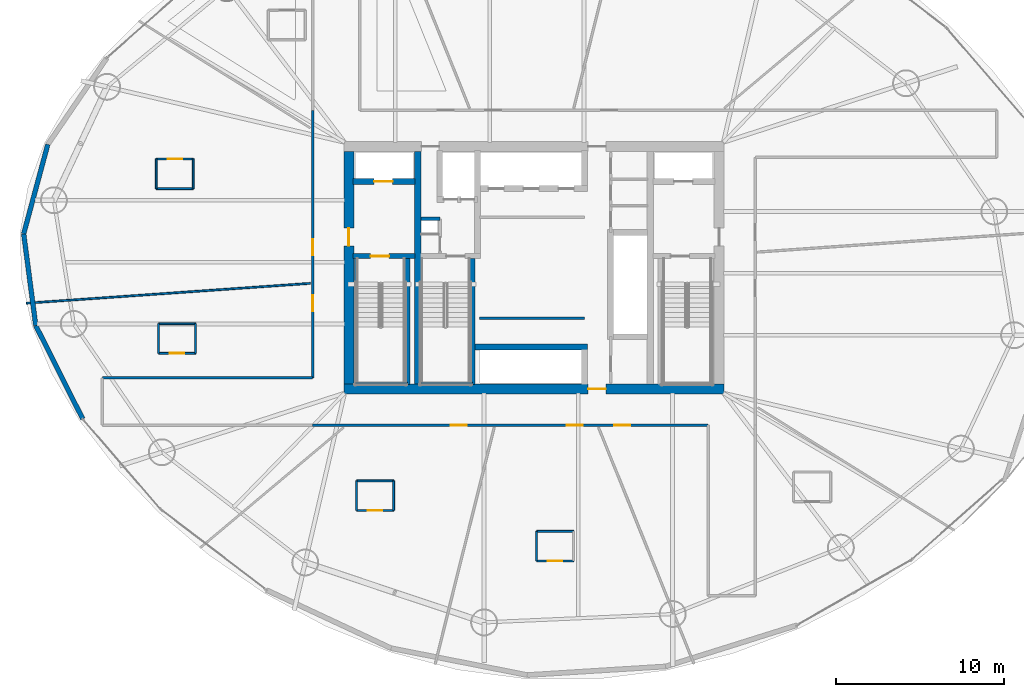
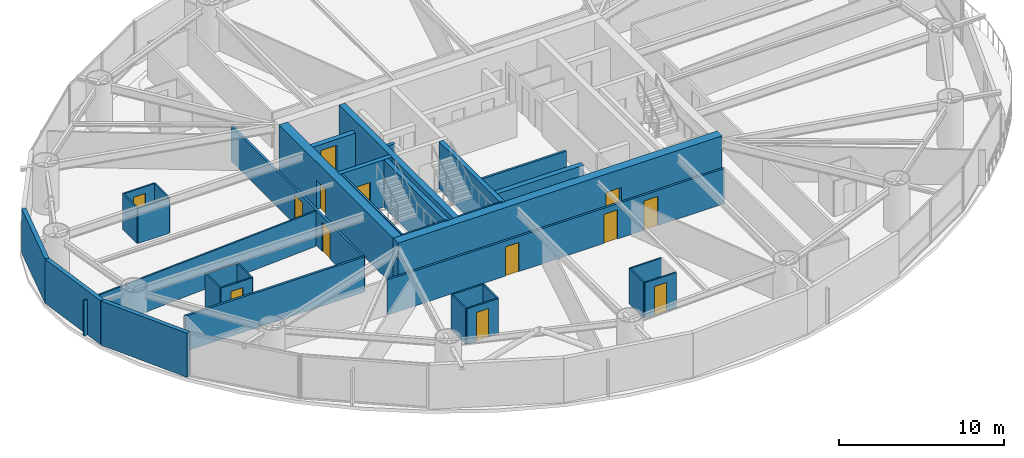
# One storey, part 19 of 26: 35 walls, 13 doors, 13 openings.
"""IFC4 building model written with IfcOpenShell, lengths in metres."""

from ifc_helpers import new_model, si_unit, direction, frame, frame_2d, origin, place, context, subcontext, project, spatial, rectangle, extrude, material, layer, layer_set, type_object, element, fill, save


model = new_model("IFC4")

# Units and contexts
model_context = context("Model", 3, precision=1e-05, world=origin(), true_north=direction((0.0, 1.0)))
body_context = subcontext(model_context, "Body", "Model", "MODEL_VIEW")
ifc_project = project(units=[si_unit("LENGTHUNIT", "METRE"), si_unit("AREAUNIT", "SQUARE_METRE"), si_unit("VOLUMEUNIT", "CUBIC_METRE"), si_unit("PLANEANGLEUNIT", "RADIAN"), si_unit("MASSUNIT", "GRAM", prefix="KILO")], contexts=[model_context])

# Site, building, storey
site_placement = place(None, origin())
site = spatial("IfcSite", under=ifc_project, at=site_placement, CompositionType="ELEMENT")
building_placement = place(site_placement, origin())
building = spatial("IfcBuilding", under=site, at=building_placement, Name="Bramvorn Convention Spire", CompositionType="ELEMENT")
storey_placement = place(building_placement, frame((0.0, 0.0, 51.89990234375)))
storey = spatial("IfcBuildingStorey", under=building, at=storey_placement, Name="L10", CompositionType="ELEMENT", Elevation=51.89990234375)

# Wall, opening, door
ifc_material_1 = material(Name="Concrete C60/70", Category="concrete")
ifc_layer_1 = layer(ifc_material_1, 0.60009765625)
ifc_layer_set_1 = layer_set([ifc_layer_1], Name="Concrete C60/70 - WL-CORE-600")
wall_type_1 = type_object("IfcWallType", Name="WL-CORE-600", PredefinedType="SHEAR", material=ifc_layer_set_1)
wall_1_placement = place(storey_placement, frame((26.699951171875, 18.800048828125, 0.0), z_axis=(0.0, 0.0, 1.0), x_axis=(1.0, 0.0, 0.0)))
wall_1 = element("IfcWall", 1, at=wall_1_placement, inside=storey, type_object=wall_type_1, Name="L10 South RC core shear wall", PredefinedType="SHEAR", context=body_context, shape_type="SweptSolid", body=[
    extrude(rectangle(XDim=22.60009765625, YDim=0.60009765625, at=frame_2d((11.300048828125, 0.0))), origin(), (0.0, 0.0, 1.0), 3.5),
])
opening_1_placement = place(wall_1_placement, frame((14.52001953125, 0.0, 0.0)))
opening_1 = element("IfcOpeningElement", 2, at=opening_1_placement, cuts=wall_1, Name="Opening DL-105", PredefinedType="OPENING", context=body_context, shape_type="SweptSolid", body=[
    extrude(rectangle(XDim=1.050048828125, YDim=2.14990234375, at=frame_2d((0.52490234375, 1.074951171875))), frame((0.0, 0.31005859375, 0.0), z_axis=(0.0, -1.0, 0.0), x_axis=(1.0, 0.0, 0.0)), (0.0, 0.0, 1.0), 0.6201171875),
])
ifc_material_2 = material(Name="Smoke-Sealed Fire Lobby Timber-Core Door", Category="wood")
door_type_1 = type_object("IfcDoorType", Name="DR-LOBBY-1050", OperationType="NOTDEFINED", PredefinedType="DOOR", material=ifc_material_2)
door_1_placement = place(opening_1_placement, origin())
door_1 = element("IfcDoor", 3, at=door_1_placement, inside=storey, type_object=door_type_1, Name="L10 South Lift Lobby fire door", OperationType="SINGLE_SWING_RIGHT", OverallHeight=2.14990234375, OverallWidth=1.050048828125, PredefinedType="DOOR", context=body_context, shape_type="SweptSolid", body=[
    extrude(rectangle(XDim=1.050048828125, YDim=2.14990234375, at=frame_2d((0.52490234375, 1.074951171875))), frame((0.0, 0.02490234375, 0.0), z_axis=(0.0, -1.0, 0.0), x_axis=(1.0, 0.0, 0.0)), (0.0, 0.0, 1.0), 0.050048828125),
])
fill(opening_1, door_1)

wall_2_placement = place(storey_placement, frame((27.0, 19.10009765625, 0.0), z_axis=(0.0, 0.0, 1.0), x_axis=(0.0, 1.0, 0.0)))
wall_2 = element("IfcWall", 4, at=wall_2_placement, inside=storey, type_object=wall_type_1, Name="L10 West RC core shear wall", PredefinedType="SHEAR", context=body_context, shape_type="SweptSolid", body=[
    extrude(rectangle(XDim=13.7998046875, YDim=0.60009765625, at=frame_2d((6.89990234375, 0.0))), origin(), (0.0, 0.0, 1.0), 3.5),
])
opening_2_placement = place(wall_2_placement, frame((8.199951171875, 0.0, 0.0)))
opening_2 = element("IfcOpeningElement", 5, at=opening_2_placement, cuts=wall_2, Name="Opening DL-105", PredefinedType="OPENING", context=body_context, shape_type="SweptSolid", body=[
    extrude(rectangle(XDim=1.050048828125, YDim=2.14990234375, at=frame_2d((0.52490234375, 1.074951171875))), frame((0.0, 0.31005859375, 0.0), z_axis=(0.0, -1.0, 0.0), x_axis=(1.0, 0.0, 0.0)), (0.0, 0.0, 1.0), 0.6201171875),
])
door_2_placement = place(opening_2_placement, origin())
door_2 = element("IfcDoor", 6, at=door_2_placement, inside=storey, type_object=door_type_1, Name="L10 West Firefighting Lobby corridor door", OperationType="SINGLE_SWING_RIGHT", OverallHeight=2.14990234375, OverallWidth=1.050048828125, PredefinedType="DOOR", context=body_context, shape_type="SweptSolid", body=[
    extrude(rectangle(XDim=1.050048828125, YDim=2.14990234375, at=frame_2d((0.52490234375, 1.074951171875))), frame((0.0, 0.02490234375, 0.0), z_axis=(0.0, -1.0, 0.0), x_axis=(1.0, 0.0, 0.0)), (0.0, 0.0, 1.0), 0.050048828125),
])
fill(opening_2, door_2)

ifc_material_3 = material(Name="Concrete C50/60", Category="concrete")
ifc_layer_2 = layer(ifc_material_3, 0.35009765625)
ifc_layer_set_2 = layer_set([ifc_layer_2], Name="Concrete C50/60 - WL-CORE-INT-350")
wall_type_2 = type_object("IfcWallType", Name="WL-CORE-INT-350", PredefinedType="SHEAR", material=ifc_layer_set_2)
wall_3_placement = place(storey_placement, frame((27.25, 31.1201171875, 0.0), z_axis=(0.0, 0.0, 1.0), x_axis=(1.0, 0.0, 0.0)))
wall_3 = element("IfcWall", 7, at=wall_3_placement, inside=storey, type_object=wall_type_2, Name="L10 FE1 shaft front wall", PredefinedType="SHEAR", context=body_context, shape_type="SweptSolid", body=[
    extrude(rectangle(XDim=3.669921875, YDim=0.35009765625, at=frame_2d((1.8349609375, 0.0))), origin(), (0.0, 0.0, 1.0), 2.60009765625),
])
opening_3_placement = place(wall_3_placement, frame((1.25, 0.0, 0.0)))
opening_3 = element("IfcOpeningElement", 8, at=opening_3_placement, cuts=wall_3, Name="Opening LD-110", PredefinedType="OPENING", context=body_context, shape_type="SweptSolid", body=[
    extrude(rectangle(XDim=1.10009765625, YDim=2.14990234375, at=frame_2d((0.550048828125, 1.074951171875))), frame((0.0, 0.18505859375, 0.0), z_axis=(0.0, -1.0, 0.0), x_axis=(1.0, 0.0, 0.0)), (0.0, 0.0, 1.0), 0.3701171875),
])
ifc_material_4 = material(Name="Firefighting & Service Lift Sliding Landing Door", Category="steel")
door_type_2 = type_object("IfcDoorType", Name="DR-LIFT-LD-1100", OperationType="NOTDEFINED", PredefinedType="DOOR", material=ifc_material_4)
door_3_placement = place(opening_3_placement, origin())
door_3 = element("IfcDoor", 9, at=door_3_placement, inside=storey, type_object=door_type_2, Name="L10 Lift FE1 Sliding Landing Door", OperationType="SLIDING_TO_LEFT", OverallHeight=2.14990234375, OverallWidth=1.10009765625, PredefinedType="DOOR", context=body_context, shape_type="SweptSolid", body=[
    extrude(rectangle(XDim=1.10009765625, YDim=2.14990234375, at=frame_2d((0.550048828125, 1.074951171875))), frame((0.0, 0.02490234375, 0.0), z_axis=(0.0, -1.0, 0.0), x_axis=(1.0, 0.0, 0.0)), (0.0, 0.0, 1.0), 0.050048828125),
])
fill(opening_3, door_3)

# Walls
wall_4_placement = place(storey_placement, frame((34.489990234375, 21.300048828125, 0.0), z_axis=(0.0, 0.0, 1.0), x_axis=(1.0, 0.0, 0.0)))
element("IfcWall", 10, at=wall_4_placement, inside=storey, type_object=wall_type_2, Name="L10 Mid-rise bank north landing wall", PredefinedType="SHEAR", context=body_context, shape_type="SweptSolid", body=[
    extrude(rectangle(XDim=6.679931640625, YDim=0.35009765625, at=frame_2d((3.33984375, 0.0))), origin(), (0.0, 0.0, 1.0), 2.60009765625),
])
ifc_layer_3 = layer(ifc_material_1, 0.39990234375)
ifc_layer_set_3 = layer_set([ifc_layer_3], Name="Concrete C60/70 - WL-CORE-INT-400")
wall_type_3 = type_object("IfcWallType", Name="WL-CORE-INT-400", PredefinedType="SHEAR", material=ifc_layer_set_3)
wall_5_placement = place(storey_placement, frame((31.10009765625, 19.10009765625, 0.0), z_axis=(0.0, 0.0, 1.0), x_axis=(0.0, 1.0, 0.0)))
element("IfcWall", 11, at=wall_5_placement, inside=storey, type_object=wall_type_3, Name="L10 West internal core shear web", PredefinedType="SHEAR", context=body_context, shape_type="SweptSolid", body=[
    extrude(rectangle(XDim=13.7998046875, YDim=0.39990234375, at=frame_2d((6.89990234375, 0.0))), origin(), (0.0, 0.0, 1.0), 3.5),
])
ifc_material_5 = material(Name="Precast Concrete C40/50 with Bronze Terracotta Rainscreen", Category="masonry")
ifc_layer_4 = layer(ifc_material_5, 0.300048828125)
ifc_layer_set_4 = layer_set([ifc_layer_4], Name="Precast Concrete C40/50 with Bronze Terracotta Rainscreen - WL-EXT-BRONZE-300")
wall_type_4 = type_object("IfcWallType", Name="WL-EXT-BRONZE-300", PredefinedType="SOLIDWALL", material=ifc_layer_set_4)
for number, where, z_axis, x_axis, name in (
    (12, (7.686767578125, 28.013427734375, 0.0), (0.0, 0.0, 1.0), (0.260331798826, 0.965519214993, 0.0), "L10 expressed bronze Gothic lancet pier wall 12"),
    (13, (8.4033203125, 22.56298828125, 0.0), (0.0, 0.0, 1.0), (-0.130345374551, 0.991468649698, 0.0), "L10 expressed bronze Gothic lancet pier wall 13"),
):
    element("IfcWall", number, at=place(storey_placement, frame(where, z_axis=z_axis, x_axis=x_axis)), inside=storey, type_object=wall_type_4, Name=name, PredefinedType="SOLIDWALL", context=body_context, shape_type="SweptSolid", body=[
        extrude(rectangle(XDim=5.497314453125, YDim=0.280029296875, at=frame_2d((2.74853515625, 0.0))), origin(), (0.0, 0.0, 1.0), 3.25),
    ])
wall_6_placement = place(storey_placement, frame((11.196533203125, 17.01416015625, 0.0), z_axis=(0.0, 0.0, 1.0), x_axis=(-0.449632845704, 0.893213470602, 0.0)))
element("IfcWall", 14, at=wall_6_placement, inside=storey, type_object=wall_type_4, Name="L10 expressed bronze Gothic lancet pier wall 14", PredefinedType="SOLIDWALL", context=body_context, shape_type="SweptSolid", body=[
    extrude(rectangle(XDim=6.212158203125, YDim=0.280029296875, at=frame_2d((3.10595703125, 0.0))), origin(), (0.0, 0.0, 1.0), 3.25),
])
ifc_material_6 = material(Name="Lightweight En-Suite & Wet-Wall Partition", Category="gypsum")
ifc_layer_5 = layer(ifc_material_6, 0.110107421875)
ifc_layer_set_5 = layer_set([ifc_layer_5], Name="Lightweight En-Suite & Wet-Wall Partition - WL-PART-110")
wall_type_5 = type_object("IfcWallType", Name="WL-PART-110", PredefinedType="PARTITIONING", material=ifc_layer_set_5)
wall_7_placement = place(storey_placement, frame((24.7099609375, 25.07080078125, 0.0), z_axis=(0.0, 0.0, 1.0), x_axis=(-0.997564034938, -0.069756692853, 0.0)))
element("IfcWall", 15, at=wall_7_placement, inside=storey, type_object=wall_type_5, Name="L10 Guestroom demising wall 6", PredefinedType="PARTITIONING", context=body_context, shape_type="SweptSolid", body=[
    extrude(rectangle(XDim=16.904541015625, YDim=0.110107421875, at=frame_2d((8.4521484375, 0.0))), origin(), (0.0, 0.0, 1.0), 2.60009765625),
])
wall_8_placement = place(storey_placement, frame((15.560791015625, 30.700439453125, 0.0), z_axis=(0.0, 0.0, 1.0), x_axis=(1.0, 0.0, 0.0)))
element("IfcWall", 16, at=wall_8_placement, inside=storey, type_object=wall_type_5, Name="Hotel Suite 1005 en-suite south wall", PredefinedType="PARTITIONING", context=body_context, shape_type="SweptSolid", body=[
    extrude(rectangle(XDim=2.2001953125, YDim=0.110107421875, at=frame_2d((1.10009765625, 0.0))), origin(), (0.0, 0.0, 1.0), 2.60009765625),
])

# Wall, opening, door
wall_9_placement = place(storey_placement, frame((15.560791015625, 32.46044921875, 0.0), z_axis=(0.0, 0.0, 1.0), x_axis=(1.0, 0.0, 0.0)))
wall_9 = element("IfcWall", 17, at=wall_9_placement, inside=storey, type_object=wall_type_5, Name="Hotel Suite 1005 en-suite north wall", PredefinedType="PARTITIONING", context=body_context, shape_type="SweptSolid", body=[
    extrude(rectangle(XDim=2.2001953125, YDim=0.110107421875, at=frame_2d((1.10009765625, 0.0))), origin(), (0.0, 0.0, 1.0), 2.60009765625),
])
opening_4_placement = place(wall_9_placement, frame((0.679931640625, 0.0, 0.0)))
opening_4 = element("IfcOpeningElement", 18, at=opening_4_placement, cuts=wall_9, Name="Opening DI-085", PredefinedType="OPENING", context=body_context, shape_type="SweptSolid", body=[
    extrude(rectangle(XDim=0.85009765625, YDim=2.10009765625, at=frame_2d((0.425048828125, 1.050048828125))), frame((0.0, 0.06494140625, 0.0), z_axis=(0.0, -1.0, 0.0), x_axis=(1.0, 0.0, 0.0)), (0.0, 0.0, 1.0), 0.130126953125),
])
ifc_material_7 = material(Name="En-Suite & Restroom Privacy Door", Category="wood")
door_type_3 = type_object("IfcDoorType", Name="DR-INT-850", OperationType="NOTDEFINED", PredefinedType="DOOR", material=ifc_material_7)
door_4_placement = place(opening_4_placement, origin())
door_4 = element("IfcDoor", 19, at=door_4_placement, inside=storey, type_object=door_type_3, Name="Hotel Suite 1005 En-Suite Bathroom door", OperationType="SINGLE_SWING_LEFT", OverallHeight=2.10009765625, OverallWidth=0.85009765625, PredefinedType="DOOR", context=body_context, shape_type="SweptSolid", body=[
    extrude(rectangle(XDim=0.85009765625, YDim=2.10009765625, at=frame_2d((0.425048828125, 1.050048828125))), frame((0.0, 0.02490234375, 0.0), z_axis=(0.0, -1.0, 0.0), x_axis=(1.0, 0.0, 0.0)), (0.0, 0.0, 1.0), 0.050048828125),
])
fill(opening_4, door_4)

# Walls
for number, where, z_axis, x_axis, name in (
    (20, (15.560791015625, 30.700439453125, 0.0), (0.0, 0.0, 1.0), (0.0, 1.0, 0.0), "Hotel Suite 1005 en-suite west wall"),
    (21, (17.760986328125, 30.700439453125, 0.0), (0.0, 0.0, 1.0), (0.0, 1.0, 0.0), "Hotel Suite 1005 en-suite east wall"),
):
    element("IfcWall", number, at=place(storey_placement, frame(where, z_axis=z_axis, x_axis=x_axis)), inside=storey, type_object=wall_type_5, Name=name, PredefinedType="PARTITIONING", context=body_context, shape_type="SweptSolid", body=[
        extrude(rectangle(XDim=1.760009765625, YDim=0.110107421875, at=frame_2d((0.8798828125, 0.0))), origin(), (0.0, 0.0, 1.0), 2.60009765625),
    ])

# Wall, opening, door
wall_10_placement = place(storey_placement, frame((15.696533203125, 20.912109375, 0.0), z_axis=(0.0, 0.0, 1.0), x_axis=(1.0, 0.0, 0.0)))
wall_10 = element("IfcWall", 22, at=wall_10_placement, inside=storey, type_object=wall_type_5, Name="Hotel Suite 1006 en-suite south wall", PredefinedType="PARTITIONING", context=body_context, shape_type="SweptSolid", body=[
    extrude(rectangle(XDim=2.199951171875, YDim=0.110107421875, at=frame_2d((1.10009765625, 0.0))), origin(), (0.0, 0.0, 1.0), 2.60009765625),
])
opening_5_placement = place(wall_10_placement, frame((0.679931640625, 0.0, 0.0)))
opening_5 = element("IfcOpeningElement", 23, at=opening_5_placement, cuts=wall_10, Name="Opening DI-085", PredefinedType="OPENING", context=body_context, shape_type="SweptSolid", body=[
    extrude(rectangle(XDim=0.85009765625, YDim=2.10009765625, at=frame_2d((0.425048828125, 1.050048828125))), frame((0.0, 0.06494140625, 0.0), z_axis=(0.0, -1.0, 0.0), x_axis=(1.0, 0.0, 0.0)), (0.0, 0.0, 1.0), 0.130126953125),
])
door_5_placement = place(opening_5_placement, origin())
door_5 = element("IfcDoor", 24, at=door_5_placement, inside=storey, type_object=door_type_3, Name="Hotel Suite 1006 En-Suite Bathroom door", OperationType="SINGLE_SWING_LEFT", OverallHeight=2.10009765625, OverallWidth=0.85009765625, PredefinedType="DOOR", context=body_context, shape_type="SweptSolid", body=[
    extrude(rectangle(XDim=0.85009765625, YDim=2.10009765625, at=frame_2d((0.425048828125, 1.050048828125))), frame((0.0, 0.02490234375, 0.0), z_axis=(0.0, -1.0, 0.0), x_axis=(1.0, 0.0, 0.0)), (0.0, 0.0, 1.0), 0.050048828125),
])
fill(opening_5, door_5)

# Walls
wall_11_placement = place(storey_placement, frame((15.696533203125, 22.672119140625, 0.0), z_axis=(0.0, 0.0, 1.0), x_axis=(1.0, 0.0, 0.0)))
element("IfcWall", 25, at=wall_11_placement, inside=storey, type_object=wall_type_5, Name="Hotel Suite 1006 en-suite north wall", PredefinedType="PARTITIONING", context=body_context, shape_type="SweptSolid", body=[
    extrude(rectangle(XDim=2.199951171875, YDim=0.110107421875, at=frame_2d((1.10009765625, 0.0))), origin(), (0.0, 0.0, 1.0), 2.60009765625),
])
for number, where, z_axis, x_axis, name in (
    (26, (15.696533203125, 20.912109375, 0.0), (0.0, 0.0, 1.0), (0.0, 1.0, 0.0), "Hotel Suite 1006 en-suite west wall"),
    (27, (17.896484375, 20.912109375, 0.0), (0.0, 0.0, 1.0), (0.0, 1.0, 0.0), "Hotel Suite 1006 en-suite east wall"),
):
    element("IfcWall", number, at=place(storey_placement, frame(where, z_axis=z_axis, x_axis=x_axis)), inside=storey, type_object=wall_type_5, Name=name, PredefinedType="PARTITIONING", context=body_context, shape_type="SweptSolid", body=[
        extrude(rectangle(XDim=1.760009765625, YDim=0.110107421875, at=frame_2d((0.8798828125, 0.0))), origin(), (0.0, 0.0, 1.0), 2.60009765625),
    ])

# Wall, opening, door
wall_12_placement = place(storey_placement, frame((27.458984375, 11.579833984375, 0.0), z_axis=(0.0, 0.0, 1.0), x_axis=(1.0, 0.0, 0.0)))
wall_12 = element("IfcWall", 28, at=wall_12_placement, inside=storey, type_object=wall_type_5, Name="Hotel Suite 1007 en-suite south wall", PredefinedType="PARTITIONING", context=body_context, shape_type="SweptSolid", body=[
    extrude(rectangle(XDim=2.199951171875, YDim=0.110107421875, at=frame_2d((1.10009765625, 0.0))), origin(), (0.0, 0.0, 1.0), 2.60009765625),
])
opening_6_placement = place(wall_12_placement, frame((0.679931640625, 0.0, 0.0)))
opening_6 = element("IfcOpeningElement", 29, at=opening_6_placement, cuts=wall_12, Name="Opening DI-085", PredefinedType="OPENING", context=body_context, shape_type="SweptSolid", body=[
    extrude(rectangle(XDim=0.85009765625, YDim=2.10009765625, at=frame_2d((0.425048828125, 1.050048828125))), frame((0.0, 0.06494140625, 0.0), z_axis=(0.0, -1.0, 0.0), x_axis=(1.0, 0.0, 0.0)), (0.0, 0.0, 1.0), 0.130126953125),
])
door_6_placement = place(opening_6_placement, origin())
door_6 = element("IfcDoor", 30, at=door_6_placement, inside=storey, type_object=door_type_3, Name="Hotel Suite 1007 En-Suite Bathroom door", OperationType="SINGLE_SWING_LEFT", OverallHeight=2.10009765625, OverallWidth=0.85009765625, PredefinedType="DOOR", context=body_context, shape_type="SweptSolid", body=[
    extrude(rectangle(XDim=0.85009765625, YDim=2.10009765625, at=frame_2d((0.425048828125, 1.050048828125))), frame((0.0, 0.02490234375, 0.0), z_axis=(0.0, -1.0, 0.0), x_axis=(1.0, 0.0, 0.0)), (0.0, 0.0, 1.0), 0.050048828125),
])
fill(opening_6, door_6)

# Walls
wall_13_placement = place(storey_placement, frame((27.458984375, 13.33984375, 0.0), z_axis=(0.0, 0.0, 1.0), x_axis=(1.0, 0.0, 0.0)))
element("IfcWall", 31, at=wall_13_placement, inside=storey, type_object=wall_type_5, Name="Hotel Suite 1007 en-suite north wall", PredefinedType="PARTITIONING", context=body_context, shape_type="SweptSolid", body=[
    extrude(rectangle(XDim=2.199951171875, YDim=0.110107421875, at=frame_2d((1.10009765625, 0.0))), origin(), (0.0, 0.0, 1.0), 2.60009765625),
])
for number, where, z_axis, x_axis, name in (
    (32, (27.458984375, 11.579833984375, 0.0), (0.0, 0.0, 1.0), (0.0, 1.0, 0.0), "Hotel Suite 1007 en-suite west wall"),
    (33, (29.658935546875, 11.579833984375, 0.0), (0.0, 0.0, 1.0), (0.0, 1.0, 0.0), "Hotel Suite 1007 en-suite east wall"),
):
    element("IfcWall", number, at=place(storey_placement, frame(where, z_axis=z_axis, x_axis=x_axis)), inside=storey, type_object=wall_type_5, Name=name, PredefinedType="PARTITIONING", context=body_context, shape_type="SweptSolid", body=[
        extrude(rectangle(XDim=1.760009765625, YDim=0.110107421875, at=frame_2d((0.8798828125, 0.0))), origin(), (0.0, 0.0, 1.0), 2.60009765625),
    ])

# Wall, opening, door
wall_14_placement = place(storey_placement, frame((38.150634765625, 8.57958984375, 0.0), z_axis=(0.0, 0.0, 1.0), x_axis=(1.0, 0.0, 0.0)))
wall_14 = element("IfcWall", 34, at=wall_14_placement, inside=storey, type_object=wall_type_5, Name="Hotel Suite 1008 en-suite south wall", PredefinedType="PARTITIONING", context=body_context, shape_type="SweptSolid", body=[
    extrude(rectangle(XDim=2.199951171875, YDim=0.110107421875, at=frame_2d((1.10009765625, 0.0))), origin(), (0.0, 0.0, 1.0), 2.60009765625),
])
opening_7_placement = place(wall_14_placement, frame((0.679931640625, 0.0, 0.0)))
opening_7 = element("IfcOpeningElement", 35, at=opening_7_placement, cuts=wall_14, Name="Opening DI-085", PredefinedType="OPENING", context=body_context, shape_type="SweptSolid", body=[
    extrude(rectangle(XDim=0.85009765625, YDim=2.10009765625, at=frame_2d((0.425048828125, 1.050048828125))), frame((0.0, 0.06494140625, 0.0), z_axis=(0.0, -1.0, 0.0), x_axis=(1.0, 0.0, 0.0)), (0.0, 0.0, 1.0), 0.130126953125),
])
door_7_placement = place(opening_7_placement, origin())
door_7 = element("IfcDoor", 36, at=door_7_placement, inside=storey, type_object=door_type_3, Name="Hotel Suite 1008 En-Suite Bathroom door", OperationType="SINGLE_SWING_LEFT", OverallHeight=2.10009765625, OverallWidth=0.85009765625, PredefinedType="DOOR", context=body_context, shape_type="SweptSolid", body=[
    extrude(rectangle(XDim=0.85009765625, YDim=2.10009765625, at=frame_2d((0.425048828125, 1.050048828125))), frame((0.0, 0.02490234375, 0.0), z_axis=(0.0, -1.0, 0.0), x_axis=(1.0, 0.0, 0.0)), (0.0, 0.0, 1.0), 0.050048828125),
])
fill(opening_7, door_7)

# Walls
wall_15_placement = place(storey_placement, frame((38.150634765625, 10.339599609375, 0.0), z_axis=(0.0, 0.0, 1.0), x_axis=(1.0, 0.0, 0.0)))
element("IfcWall", 37, at=wall_15_placement, inside=storey, type_object=wall_type_5, Name="Hotel Suite 1008 en-suite north wall", PredefinedType="PARTITIONING", context=body_context, shape_type="SweptSolid", body=[
    extrude(rectangle(XDim=2.199951171875, YDim=0.110107421875, at=frame_2d((1.10009765625, 0.0))), origin(), (0.0, 0.0, 1.0), 2.60009765625),
])
wall_16_placement = place(storey_placement, frame((38.150634765625, 8.57958984375, 0.0), z_axis=(0.0, 0.0, 1.0), x_axis=(0.0, 1.0, 0.0)))
element("IfcWall", 38, at=wall_16_placement, inside=storey, type_object=wall_type_5, Name="Hotel Suite 1008 en-suite west wall", PredefinedType="PARTITIONING", context=body_context, shape_type="SweptSolid", body=[
    extrude(rectangle(XDim=1.760009765625, YDim=0.110107421875, at=frame_2d((0.8798828125, 0.0))), origin(), (0.0, 0.0, 1.0), 2.60009765625),
])
ifc_material_8 = material(Name="Acoustic Metal-Stud Tenant/Corridor Partition", Category="gypsum")
ifc_layer_6 = layer(ifc_material_8, 0.14990234375)
ifc_layer_set_6 = layer_set([ifc_layer_6], Name="Acoustic Metal-Stud Tenant/Corridor Partition - WL-PART-150")
wall_type_6 = type_object("IfcWallType", Name="WL-PART-150", PredefinedType="PARTITIONING", material=ifc_layer_set_6)
wall_17_placement = place(storey_placement, frame((34.75, 23.0, 0.0), z_axis=(0.0, 0.0, 1.0), x_axis=(1.0, 0.0, 0.0)))
element("IfcWall", 39, at=wall_17_placement, inside=storey, type_object=wall_type_6, Name="L10 Mid-rise lift vestibule north wall", PredefinedType="PARTITIONING", context=body_context, shape_type="SweptSolid", body=[
    extrude(rectangle(XDim=6.25, YDim=0.14990234375, at=frame_2d((3.125, 0.0))), origin(), (0.0, 0.0, 1.0), 2.60009765625),
])

# Wall, openings, doors
wall_18_placement = place(storey_placement, frame((24.85009765625, 16.64990234375, 0.0), z_axis=(0.0, 0.0, 1.0), x_axis=(1.0, 0.0, 0.0)))
wall_18 = element("IfcWall", 40, at=wall_18_placement, inside=storey, type_object=wall_type_6, Name="L10 South ring corridor wall", PredefinedType="PARTITIONING", context=body_context, shape_type="SweptSolid", body=[
    extrude(rectangle(XDim=23.5, YDim=0.14990234375, at=frame_2d((11.75, 0.0))), origin(), (0.0, 0.0, 1.0), 2.60009765625),
])
opening_8_placement = place(wall_18_placement, frame((8.21630859375, 0.0, 0.0)))
opening_8 = element("IfcOpeningElement", 41, at=opening_8_placement, cuts=wall_18, Name="Opening DH-095", PredefinedType="OPENING", context=body_context, shape_type="SweptSolid", body=[
    extrude(rectangle(XDim=0.949951171875, YDim=2.14990234375, at=frame_2d((0.47509765625, 1.074951171875))), frame((0.0, 0.0849609375, 0.0), z_axis=(0.0, -1.0, 0.0), x_axis=(1.0, 0.0, 0.0)), (0.0, 0.0, 1.0), 0.169921875),
])
opening_9_placement = place(wall_18_placement, frame((15.102783203125, 0.0, 0.0)))
opening_9 = element("IfcOpeningElement", 42, at=opening_9_placement, cuts=wall_18, Name="Opening DH-095", PredefinedType="OPENING", context=body_context, shape_type="SweptSolid", body=[
    extrude(rectangle(XDim=0.949951171875, YDim=2.14990234375, at=frame_2d((0.47509765625, 1.074951171875))), frame((0.0, 0.0849609375, 0.0), z_axis=(0.0, -1.0, 0.0), x_axis=(1.0, 0.0, 0.0)), (0.0, 0.0, 1.0), 0.169921875),
])
opening_10_placement = place(wall_18_placement, frame((17.909912109375, 0.0, 0.0)))
opening_10 = element("IfcOpeningElement", 43, at=opening_10_placement, cuts=wall_18, Name="Opening DH-095", PredefinedType="OPENING", context=body_context, shape_type="SweptSolid", body=[
    extrude(rectangle(XDim=0.949951171875, YDim=2.14990234375, at=frame_2d((0.47509765625, 1.074951171875))), frame((0.0, 0.0849609375, 0.0), z_axis=(0.0, -1.0, 0.0), x_axis=(1.0, 0.0, 0.0)), (0.0, 0.0, 1.0), 0.169921875),
])
ifc_material_9 = material(Name="Solid-Core Acoustic Guestroom Entry Door", Category="wood")
door_type_4 = type_object("IfcDoorType", Name="DR-HOTEL-950", OperationType="NOTDEFINED", PredefinedType="DOOR", material=ifc_material_9)
door_8_placement = place(opening_8_placement, origin())
door_8 = element("IfcDoor", 44, at=door_8_placement, inside=storey, type_object=door_type_4, Name="Hotel Suite 1007 entry door", OperationType="SINGLE_SWING_RIGHT", OverallHeight=2.14990234375, OverallWidth=0.949951171875, PredefinedType="DOOR", context=body_context, shape_type="SweptSolid", body=[
    extrude(rectangle(XDim=0.949951171875, YDim=2.14990234375, at=frame_2d((0.47509765625, 1.074951171875))), frame((0.0, 0.02490234375, 0.0), z_axis=(0.0, -1.0, 0.0), x_axis=(1.0, 0.0, 0.0)), (0.0, 0.0, 1.0), 0.050048828125),
])
fill(opening_8, door_8)
door_9_placement = place(opening_9_placement, origin())
door_9 = element("IfcDoor", 45, at=door_9_placement, inside=storey, type_object=door_type_4, Name="Hotel Suite 1008 entry door", OperationType="SINGLE_SWING_LEFT", OverallHeight=2.14990234375, OverallWidth=0.949951171875, PredefinedType="DOOR", context=body_context, shape_type="SweptSolid", body=[
    extrude(rectangle(XDim=0.949951171875, YDim=2.14990234375, at=frame_2d((0.47509765625, 1.074951171875))), frame((0.0, 0.02490234375, 0.0), z_axis=(0.0, -1.0, 0.0), x_axis=(1.0, 0.0, 0.0)), (0.0, 0.0, 1.0), 0.050048828125),
])
fill(opening_9, door_9)
door_10_placement = place(opening_10_placement, origin())
door_10 = element("IfcDoor", 46, at=door_10_placement, inside=storey, type_object=door_type_4, Name="Hotel Suite 1009 entry door", OperationType="SINGLE_SWING_LEFT", OverallHeight=2.14990234375, OverallWidth=0.949951171875, PredefinedType="DOOR", context=body_context, shape_type="SweptSolid", body=[
    extrude(rectangle(XDim=0.949951171875, YDim=2.14990234375, at=frame_2d((0.47509765625, 1.074951171875))), frame((0.0, 0.02490234375, 0.0), z_axis=(0.0, -1.0, 0.0), x_axis=(1.0, 0.0, 0.0)), (0.0, 0.0, 1.0), 0.050048828125),
])
fill(opening_10, door_10)

wall_19_placement = place(storey_placement, frame((24.85009765625, 19.449951171875, 0.0), z_axis=(0.0, 0.0, 1.0), x_axis=(0.0, 1.0, 0.0)))
wall_19 = element("IfcWall", 47, at=wall_19_placement, inside=storey, type_object=wall_type_6, Name="L10 West ring corridor wall", PredefinedType="PARTITIONING", context=body_context, shape_type="SweptSolid", body=[
    extrude(rectangle(XDim=15.900146484375, YDim=0.14990234375, at=frame_2d((7.9501953125, 0.0))), origin(), (0.0, 0.0, 1.0), 2.60009765625),
])
opening_11_placement = place(wall_19_placement, frame((7.305419921875, 0.0, 0.0)))
opening_11 = element("IfcOpeningElement", 48, at=opening_11_placement, cuts=wall_19, Name="Opening DH-095", PredefinedType="OPENING", context=body_context, shape_type="SweptSolid", body=[
    extrude(rectangle(XDim=0.949951171875, YDim=2.14990234375, at=frame_2d((0.47509765625, 1.074951171875))), frame((0.0, 0.0849609375, 0.0), z_axis=(0.0, -1.0, 0.0), x_axis=(1.0, 0.0, 0.0)), (0.0, 0.0, 1.0), 0.169921875),
])
opening_12_placement = place(wall_19_placement, frame((3.9638671875, 0.0, 0.0)))
opening_12 = element("IfcOpeningElement", 49, at=opening_12_placement, cuts=wall_19, Name="Opening DH-095", PredefinedType="OPENING", context=body_context, shape_type="SweptSolid", body=[
    extrude(rectangle(XDim=0.949951171875, YDim=2.14990234375, at=frame_2d((0.47509765625, 1.074951171875))), frame((0.0, 0.0849609375, 0.0), z_axis=(0.0, -1.0, 0.0), x_axis=(1.0, 0.0, 0.0)), (0.0, 0.0, 1.0), 0.169921875),
])
door_11_placement = place(opening_11_placement, origin())
door_11 = element("IfcDoor", 50, at=door_11_placement, inside=storey, type_object=door_type_4, Name="Hotel Suite 1005 entry door", OperationType="SINGLE_SWING_LEFT", OverallHeight=2.14990234375, OverallWidth=0.949951171875, PredefinedType="DOOR", context=body_context, shape_type="SweptSolid", body=[
    extrude(rectangle(XDim=0.949951171875, YDim=2.14990234375, at=frame_2d((0.47509765625, 1.074951171875))), frame((0.0, 0.02490234375, 0.0), z_axis=(0.0, -1.0, 0.0), x_axis=(1.0, 0.0, 0.0)), (0.0, 0.0, 1.0), 0.050048828125),
])
fill(opening_11, door_11)
door_12_placement = place(opening_12_placement, origin())
door_12 = element("IfcDoor", 51, at=door_12_placement, inside=storey, type_object=door_type_4, Name="Hotel Suite 1006 entry door", OperationType="SINGLE_SWING_RIGHT", OverallHeight=2.14990234375, OverallWidth=0.949951171875, PredefinedType="DOOR", context=body_context, shape_type="SweptSolid", body=[
    extrude(rectangle(XDim=0.949951171875, YDim=2.14990234375, at=frame_2d((0.47509765625, 1.074951171875))), frame((0.0, 0.02490234375, 0.0), z_axis=(0.0, -1.0, 0.0), x_axis=(1.0, 0.0, 0.0)), (0.0, 0.0, 1.0), 0.050048828125),
])
fill(opening_12, door_12)

# Walls
wall_20_placement = place(storey_placement, frame((12.35546875, 19.449951171875, 0.0), z_axis=(0.0, 0.0, 1.0), x_axis=(1.0, 0.0, 0.0)))
element("IfcWall", 52, at=wall_20_placement, inside=storey, type_object=wall_type_6, Name="L10 SW pinwheel wing north wall", PredefinedType="PARTITIONING", context=body_context, shape_type="SweptSolid", body=[
    extrude(rectangle(XDim=12.49462890625, YDim=0.14990234375, at=frame_2d((6.247314453125, 0.0))), origin(), (0.0, 0.0, 1.0), 2.60009765625),
])
ifc_material_10 = material(Name="Gypsum Shaftwall & Rockwool Core Partition", Category="gypsum")
ifc_layer_7 = layer(ifc_material_10, 0.199951171875)
ifc_layer_set_7 = layer_set([ifc_layer_7], Name="Gypsum Shaftwall & Rockwool Core Partition - WL-PART-200-FR")
wall_type_7 = type_object("IfcWallType", Name="WL-PART-200-FR", PredefinedType="PARTITIONING", material=ifc_layer_set_7)
wall_21_placement = place(storey_placement, frame((31.300048828125, 28.89990234375, 0.0), z_axis=(0.0, 0.0, 1.0), x_axis=(1.0, 0.0, 0.0)))
element("IfcWall", 53, at=wall_21_placement, inside=storey, type_object=wall_type_7, Name="L10 Telecom riser north wall", PredefinedType="PARTITIONING", context=body_context, shape_type="SweptSolid", body=[
    extrude(rectangle(XDim=1.119873046875, YDim=0.199951171875, at=frame_2d((0.56005859375, 0.0))), origin(), (0.0, 0.0, 1.0), 2.60009765625),
])

# Wall, opening, door
ifc_layer_8 = layer(ifc_material_3, 0.300048828125)
ifc_layer_set_8 = layer_set([ifc_layer_8], Name="Concrete C50/60 - WL-POD-STAIR-300")
wall_type_8 = type_object("IfcWallType", Name="WL-POD-STAIR-300", PredefinedType="SHEAR", material=ifc_layer_set_8)
wall_22_placement = place(storey_placement, frame((27.25, 26.68994140625, 0.0), z_axis=(0.0, 0.0, 1.0), x_axis=(1.0, 0.0, 0.0)))
wall_22 = element("IfcWall", 54, at=wall_22_placement, inside=storey, type_object=wall_type_8, Name="L10 ST1 north fire wall", PredefinedType="SHEAR", context=body_context, shape_type="SweptSolid", body=[
    extrude(rectangle(XDim=3.669921875, YDim=0.300048828125, at=frame_2d((1.8349609375, 0.0))), origin(), (0.0, 0.0, 1.0), 3.5),
])
opening_13_placement = place(wall_22_placement, frame((1.050048828125, 0.0, 0.0)))
opening_13 = element("IfcOpeningElement", 55, at=opening_13_placement, cuts=wall_22, Name="Opening DS-110", PredefinedType="OPENING", context=body_context, shape_type="SweptSolid", body=[
    extrude(rectangle(XDim=1.10009765625, YDim=2.14990234375, at=frame_2d((0.550048828125, 1.074951171875))), frame((0.0, 0.159912109375, 0.0), z_axis=(0.0, -1.0, 0.0), x_axis=(1.0, 0.0, 0.0)), (0.0, 0.0, 1.0), 0.320068359375),
])
ifc_material_11 = material(Name="Fire-Rated Hollow Steel Stairwell Door", Category="steel")
door_type_5 = type_object("IfcDoorType", Name="DR-STAIR-1100", OperationType="NOTDEFINED", PredefinedType="DOOR", material=ifc_material_11)
door_13_placement = place(opening_13_placement, origin())
door_13 = element("IfcDoor", 56, at=door_13_placement, inside=storey, type_object=door_type_5, Name="L10 Stair ST1 fire door", OperationType="SINGLE_SWING_LEFT", OverallHeight=2.14990234375, OverallWidth=1.10009765625, PredefinedType="DOOR", context=body_context, shape_type="SweptSolid", body=[
    extrude(rectangle(XDim=1.10009765625, YDim=2.14990234375, at=frame_2d((0.550048828125, 1.074951171875))), frame((0.0, 0.02490234375, 0.0), z_axis=(0.0, -1.0, 0.0), x_axis=(1.0, 0.0, 0.0)), (0.0, 0.0, 1.0), 0.050048828125),
])
fill(opening_13, door_13)

# Walls
for number, where, z_axis, x_axis, name in (
    (57, (30.489990234375, 19.050048828125, 0.0), (0.0, 0.0, 1.0), (0.0, 1.0, 0.0), "L10 ST1 east bearing wall"),
    (58, (34.340087890625, 19.050048828125, 0.0), (0.0, 0.0, 1.0), (0.0, 1.0, 0.0), "L10 ST3 east bearing wall"),
):
    element("IfcWall", number, at=place(storey_placement, frame(where, z_axis=z_axis, x_axis=x_axis)), inside=storey, type_object=wall_type_8, Name=name, PredefinedType="SHEAR", context=body_context, shape_type="SweptSolid", body=[
        extrude(rectangle(XDim=7.5, YDim=0.300048828125, at=frame_2d((3.75, 0.0))), origin(), (0.0, 0.0, 1.0), 3.5),
    ])
ifc_layer_9 = layer(ifc_material_3, 0.1201171875)
ifc_layer_set_9 = layer_set([ifc_layer_9], Name="Concrete C50/60 - WL-STAIR-RC-120")
wall_type_9 = type_object("IfcWallType", Name="WL-STAIR-RC-120", PredefinedType="SHEAR", material=ifc_layer_set_9)
wall_23_placement = place(storey_placement, frame((27.39501953125, 19.10009765625, 0.0), z_axis=(0.0, 0.0, 1.0), x_axis=(0.0, 1.0, 0.0)))
element("IfcWall", 59, at=wall_23_placement, inside=storey, type_object=wall_type_9, Name="L10 ST1 west bearing shear wall", PredefinedType="SHEAR", context=body_context, shape_type="SweptSolid", body=[
    extrude(rectangle(XDim=7.449951171875, YDim=0.1201171875, at=frame_2d((3.72509765625, 0.0))), origin(), (0.0, 0.0, 1.0), 3.5),
])
wall_24_placement = place(storey_placement, frame((27.39501953125, 19.159912109375, 0.0), z_axis=(0.0, 0.0, 1.0), x_axis=(1.0, 0.0, 0.0)))
element("IfcWall", 60, at=wall_24_placement, inside=storey, type_object=wall_type_9, Name="L10 ST1 south bearing shear wall", PredefinedType="SHEAR", context=body_context, shape_type="SweptSolid", body=[
    extrude(rectangle(XDim=3.094970703125, YDim=0.1201171875, at=frame_2d((1.54736328125, 0.0))), origin(), (0.0, 0.0, 1.0), 3.5),
])
wall_25_placement = place(storey_placement, frame((31.300048828125, 19.159912109375, 0.0), z_axis=(0.0, 0.0, 1.0), x_axis=(1.0, 0.0, 0.0)))
element("IfcWall", 61, at=wall_25_placement, inside=storey, type_object=wall_type_9, Name="L10 ST3 south bearing shear wall", PredefinedType="SHEAR", context=body_context, shape_type="SweptSolid", body=[
    extrude(rectangle(XDim=3.0400390625, YDim=0.1201171875, at=frame_2d((1.52001953125, 0.0))), origin(), (0.0, 0.0, 1.0), 3.5),
])

save(model, "model.ifc")
